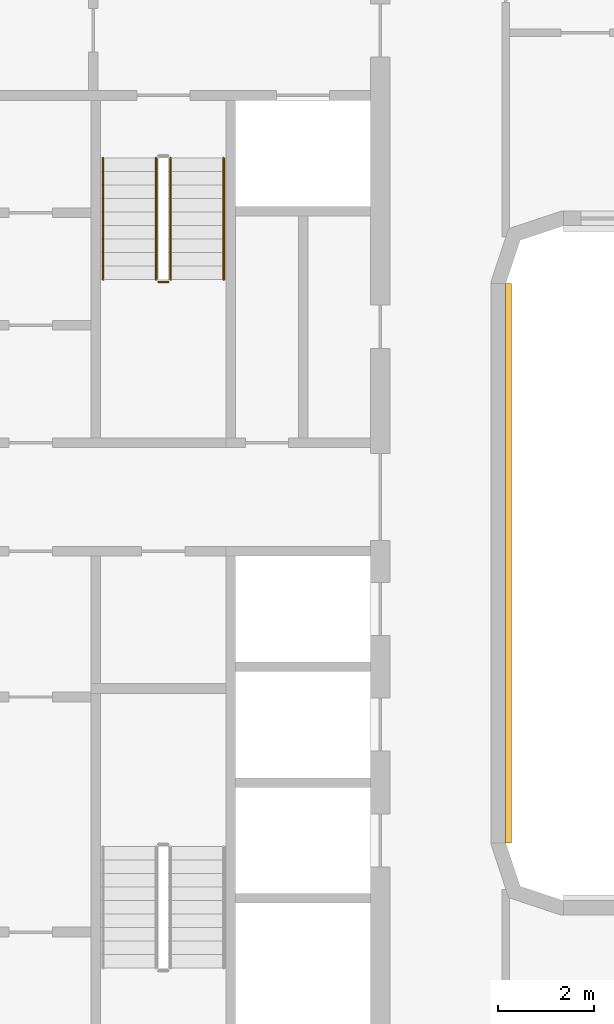
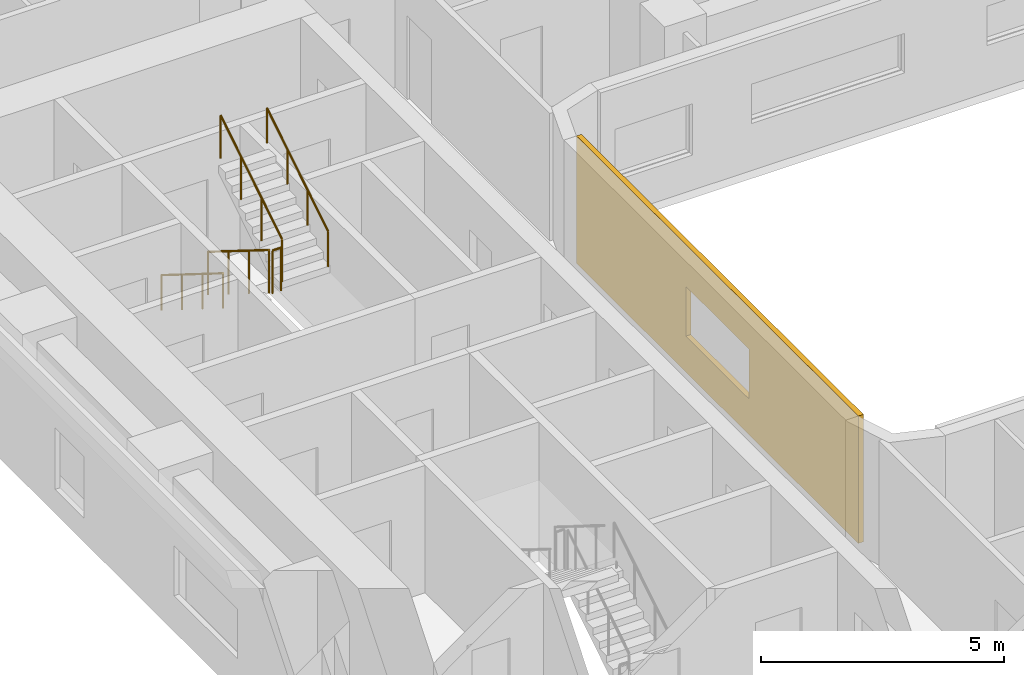
# One storey, part 16 of 23: 5 railings, 1 covering.
"""IFC4 building model written with IfcOpenShell, lengths in metres."""

from ifc_helpers import new_model, si_unit, direction, frame, origin, origin_2d, place, context, subcontext, project, spatial, polyline, circle, outline, extrude, material, layer, layer_set, type_object, element, save


model = new_model("IFC4")

# Units and contexts
model_context = context("Model", 3, precision=1e-05, world=origin(), true_north=direction((0.0, 1.0)))
body_context = subcontext(model_context, "Body", "Model", "MODEL_VIEW")
ifc_project = project(units=[si_unit("LENGTHUNIT", "METRE"), si_unit("AREAUNIT", "SQUARE_METRE"), si_unit("VOLUMEUNIT", "CUBIC_METRE"), si_unit("PLANEANGLEUNIT", "RADIAN"), si_unit("MASSUNIT", "GRAM", prefix="KILO")], contexts=[model_context])

# Site, building, storey
site_placement = place(None, origin())
site = spatial("IfcSite", under=ifc_project, at=site_placement, CompositionType="ELEMENT")
building_placement = place(site_placement, origin())
building = spatial("IfcBuilding", under=site, at=building_placement, Name="Kiln Ring Residences", CompositionType="ELEMENT")
storey_placement = place(building_placement, frame((0.0, 0.0, 86.800048828125)))
storey = spatial("IfcBuildingStorey", under=building, at=storey_placement, Name="L21", CompositionType="ELEMENT", Elevation=86.800048828125)

# Railings
ifc_material_1 = material(Name="Stainless steel", Category="steel")
railing_type_1 = type_object("IfcRailingType", Name="CORE-STAIR-GUARD", PredefinedType="GUARDRAIL", material=ifc_material_1)
railing_1_placement = place(storey_placement, frame((-22.25, 8.39990234375, 0.175048828125)))
element("IfcRailing", 1, at=railing_1_placement, inside=storey, type_object=railing_type_1, Name="L21 W-STN stair guard 1", PredefinedType="GUARDRAIL", context=body_context, shape_type="SweptSolid", body=[
    extrude(circle(Radius=0.02392578125, at=origin_2d()), frame((0.0, 0.0, 1.076171875), z_axis=(0.0, -0.848007534815, 0.529984170421), x_axis=(1.0, 0.0, 0.0)), (0.0, 0.0, 1.0), 2.9716796875),
    extrude(circle(Radius=0.02099609375, at=origin_2d()), origin(), (0.0, 0.0, 1.0), 1.052001953125),
    extrude(circle(Radius=0.02099609375, at=origin_2d()), frame((0.0, -0.840087890625, 0.52490234375)), (0.0, 0.0, 1.0), 1.052001953125),
    extrude(circle(Radius=0.02099609375, at=origin_2d()), frame((0.0, -1.679931640625, 1.050048828125)), (0.0, 0.0, 1.0), 1.052001953125),
    extrude(circle(Radius=0.02099609375, at=origin_2d()), frame((0.0, -2.52001953125, 1.574951171875)), (0.0, 0.0, 1.0), 1.052001953125),
])
railing_2_placement = place(storey_placement, frame((-22.199951171875, 5.830078125, 1.75)))
element("IfcRailing", 2, at=railing_2_placement, inside=storey, type_object=railing_type_1, Name="L21 W-STN stair guard 2", PredefinedType="GUARDRAIL", context=body_context, shape_type="SweptSolid", body=[
    extrude(circle(Radius=0.02392578125, at=origin_2d()), frame((0.0, 0.0, 1.076171875), z_axis=(1.0, 0.0, 0.0), x_axis=(0.0, 1.0, 0.0)), (0.0, 0.0, 1.0), 0.199951171875),
    extrude(circle(Radius=0.02099609375, at=origin_2d()), origin(), (0.0, 0.0, 1.0), 1.052001953125),
    extrude(circle(Radius=0.02099609375, at=origin_2d()), frame((0.199951171875, 0.0, 0.0)), (0.0, 0.0, 1.0), 1.052001953125),
])
railing_3_placement = place(storey_placement, frame((-21.949951171875, 5.8798828125, 1.925048828125)))
element("IfcRailing", 3, at=railing_3_placement, inside=storey, type_object=railing_type_1, Name="L21 W-STN stair guard 3", PredefinedType="GUARDRAIL", context=body_context, shape_type="SweptSolid", body=[
    extrude(circle(Radius=0.02392578125, at=origin_2d()), frame((0.0, 0.0, 1.076171875), z_axis=(0.0, 0.848007534815, 0.529984170421), x_axis=(-1.0, 0.0, 0.0)), (0.0, 0.0, 1.0), 2.9716796875),
    extrude(circle(Radius=0.02099609375, at=origin_2d()), origin(), (0.0, 0.0, 1.0), 1.052001953125),
    extrude(circle(Radius=0.02099609375, at=origin_2d()), frame((0.0, 0.840087890625, 0.52490234375)), (0.0, 0.0, 1.0), 1.052001953125),
    extrude(circle(Radius=0.02099609375, at=origin_2d()), frame((0.0, 1.679931640625, 1.050048828125)), (0.0, 0.0, 1.0), 1.052001953125),
    extrude(circle(Radius=0.02099609375, at=origin_2d()), frame((0.0, 2.52001953125, 1.574951171875)), (0.0, 0.0, 1.0), 1.052001953125),
])
ifc_material_2 = material(Name="Stainless steel", Category="steel")
railing_type_2 = type_object("IfcRailingType", Name="CORE-STAIR-HANDRAIL", PredefinedType="HANDRAIL", material=ifc_material_2)
railing_4_placement = place(storey_placement, frame((-23.35009765625, 8.39990234375, 0.175048828125)))
element("IfcRailing", 4, at=railing_4_placement, inside=storey, type_object=railing_type_2, Name="L21 W-STN stair handrail 1", PredefinedType="HANDRAIL", context=body_context, shape_type="SweptSolid", body=[
    extrude(circle(Radius=0.02392578125, at=origin_2d()), frame((0.0, 0.0, 0.8759765625), z_axis=(0.0, -0.848007534815, 0.529984170421), x_axis=(1.0, 0.0, 0.0)), (0.0, 0.0, 1.0), 2.9716796875),
    extrude(circle(Radius=0.02099609375, at=origin_2d()), origin(), (0.0, 0.0, 1.0), 0.851806640625),
    extrude(circle(Radius=0.02099609375, at=origin_2d()), frame((0.0, -0.840087890625, 0.52490234375)), (0.0, 0.0, 1.0), 0.851806640625),
    extrude(circle(Radius=0.02099609375, at=origin_2d()), frame((0.0, -1.679931640625, 1.050048828125)), (0.0, 0.0, 1.0), 0.851806640625),
    extrude(circle(Radius=0.02099609375, at=origin_2d()), frame((0.0, -2.52001953125, 1.574951171875)), (0.0, 0.0, 1.0), 0.851806640625),
])
railing_5_placement = place(storey_placement, frame((-20.85009765625, 5.8798828125, 1.925048828125)))
element("IfcRailing", 5, at=railing_5_placement, inside=storey, type_object=railing_type_2, Name="L21 W-STN stair handrail 2", PredefinedType="HANDRAIL", context=body_context, shape_type="SweptSolid", body=[
    extrude(circle(Radius=0.02392578125, at=origin_2d()), frame((0.0, 0.0, 0.8759765625), z_axis=(0.0, 0.848007534815, 0.529984170421), x_axis=(-1.0, 0.0, 0.0)), (0.0, 0.0, 1.0), 2.9716796875),
    extrude(circle(Radius=0.02099609375, at=origin_2d()), origin(), (0.0, 0.0, 1.0), 0.851806640625),
    extrude(circle(Radius=0.02099609375, at=origin_2d()), frame((0.0, 0.840087890625, 0.52490234375)), (0.0, 0.0, 1.0), 0.851806640625),
    extrude(circle(Radius=0.02099609375, at=origin_2d()), frame((0.0, 1.679931640625, 1.050048828125)), (0.0, 0.0, 1.0), 0.851806640625),
    extrude(circle(Radius=0.02099609375, at=origin_2d()), frame((0.0, 2.52001953125, 1.574951171875)), (0.0, 0.0, 1.0), 0.851806640625),
])

# Covering
ifc_material_3 = material(Name="Brick masonry, dark clay brick", Category="masonry")
ifc_layer = layer(ifc_material_3, 0.1201171875)
ifc_layer_set = layer_set([ifc_layer], Name="RAINSCREEN PANEL 120")
covering_type = type_object("IfcCoveringType", Name="RAINSCREEN PANEL 120", PredefinedType="CLADDING", material=ifc_layer_set)
covering_placement = place(storey_placement, frame((-14.93994140625, -5.800048828125, 0.0), z_axis=(0.0, 0.0, 1.0), x_axis=(0.0, 1.0, 0.0)))
element("IfcCovering", 6, at=covering_placement, inside=storey, type_object=covering_type, Name="RAINSCREEN L21", PredefinedType="CLADDING", context=body_context, shape_type="SweptSolid", body=[
    extrude(outline(polyline([(0.0, 0.0), (11.60009765625, 0.0), (11.60009765625, 3.199951171875), (0.0, 3.199951171875), (0.0, 0.0)]), holes=[polyline([(4.5, 2.14990234375), (4.5, 0.89990234375), (7.10009765625, 0.89990234375), (7.10009765625, 2.14990234375), (4.5, 2.14990234375)])]), frame((0.0, 0.06005859375, 0.0), z_axis=(0.0, -1.0, 0.0), x_axis=(1.0, 0.0, 0.0)), (0.0, 0.0, 1.0), 0.1201171875),
])

save(model, "model.ifc")
